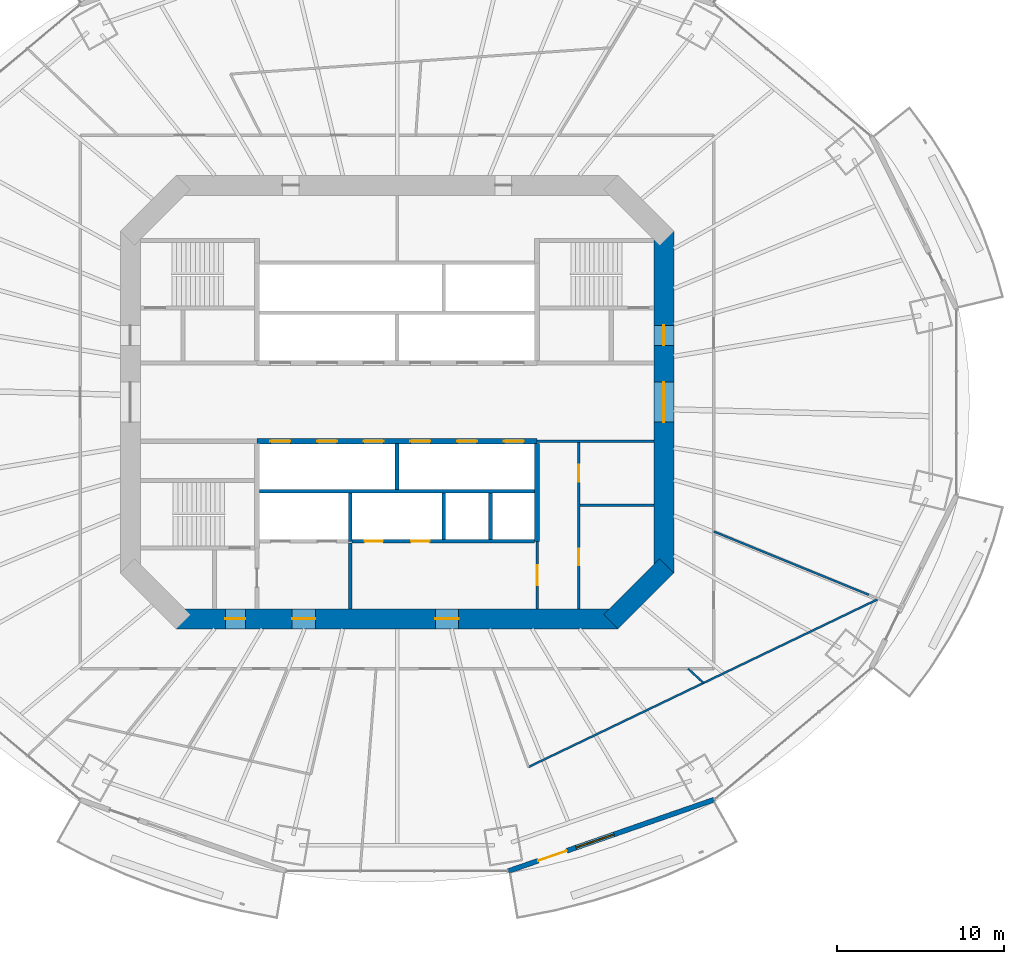
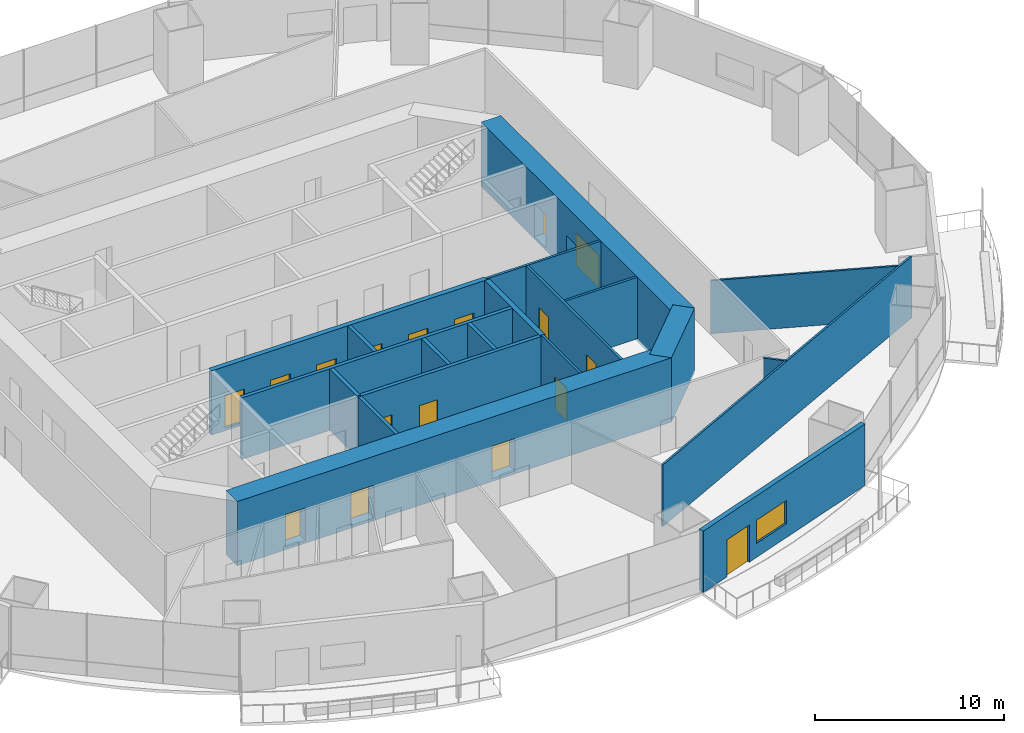
# One storey, part 14 of 22: 20 walls, 17 doors, 1 window, 18 openings.
"""IFC4 building model written with IfcOpenShell, lengths in metres."""

from ifc_helpers import new_model, si_unit, direction, frame, frame_2d, origin, place, context, subcontext, project, spatial, rectangle, extrude, material, layer, layer_set, type_object, element, fill, save


model = new_model("IFC4")

# Units and contexts
model_context = context("Model", 3, precision=1e-05, world=origin(), true_north=direction((0.0, 1.0)))
body_context = subcontext(model_context, "Body", "Model", "MODEL_VIEW")
ifc_project = project(units=[si_unit("LENGTHUNIT", "METRE"), si_unit("AREAUNIT", "SQUARE_METRE"), si_unit("VOLUMEUNIT", "CUBIC_METRE"), si_unit("PLANEANGLEUNIT", "RADIAN"), si_unit("MASSUNIT", "GRAM", prefix="KILO")], contexts=[model_context])

# Site, building, storey
site_placement = place(None, origin())
site = spatial("IfcSite", under=ifc_project, at=site_placement, CompositionType="ELEMENT")
building_placement = place(site_placement, origin())
building = spatial("IfcBuilding", under=site, at=building_placement, Name="Marenthal Gate Tower", CompositionType="ELEMENT")
storey_placement = place(building_placement, frame((0.0, 0.0, 116.0)))
storey = spatial("IfcBuildingStorey", under=building, at=storey_placement, Name="L24", CompositionType="ELEMENT", Elevation=116.0)

# Wall
ifc_material_1 = material(Name="Concrete 60 MPa", Category="concrete")
ifc_layer_1 = layer(ifc_material_1, 1.199951171875)
ifc_layer_set_1 = layer_set([ifc_layer_1], Name="Core shear wall 1200")
wall_type_1 = type_object("IfcWallType", Name="Core shear wall 1200", PredefinedType="SHEAR", material=ifc_layer_set_1)
wall_1_placement = place(storey_placement, frame((12.82421875, -13.17578125, -0.179931640625), z_axis=(0.0, 0.0, 1.0), x_axis=(0.707106781187, 0.707106781187, 0.0)))
element("IfcWall", 1, at=wall_1_placement, inside=storey, type_object=wall_type_1, Name="Core wall 01", PredefinedType="SHEAR", context=body_context, shape_type="SweptSolid", body=[
    extrude(rectangle(XDim=4.73974609375, YDim=1.199951171875, at=frame_2d((2.369873046875, 0.0))), origin(), (0.0, 0.0, 1.0), 4.14990234375),
])

# Wall, openings, doors
wall_2_placement = place(storey_placement, frame((16.0, -10.24853515625, -0.179931640625), z_axis=(0.0, 0.0, 1.0), x_axis=(0.0, 1.0, 0.0)))
wall_2 = element("IfcWall", 2, at=wall_2_placement, inside=storey, type_object=wall_type_1, Name="Core wall 02", PredefinedType="SHEAR", context=body_context, shape_type="SweptSolid", body=[
    extrude(rectangle(XDim=20.4970703125, YDim=1.199951171875, at=frame_2d((10.24853515625, 0.0))), origin(), (0.0, 0.0, 1.0), 4.14990234375),
])
opening_1_placement = place(wall_2_placement, frame((9.048583984375, 0.0, 0.179931640625)))
opening_1 = element("IfcOpeningElement", 3, at=opening_1_placement, cuts=wall_2, Name="Opening D003.02", PredefinedType="OPENING", context=body_context, shape_type="SweptSolid", body=[
    extrude(rectangle(XDim=2.39990234375, YDim=2.10009765625, at=frame_2d((1.199951171875, 1.050048828125))), frame((0.0, 0.60986328125, 0.0), z_axis=(0.0, -1.0, 0.0), x_axis=(1.0, 0.0, 0.0)), (0.0, 0.0, 1.0), 1.219970703125),
])
opening_2_placement = place(wall_2_placement, frame((13.6484375, 0.0, 0.179931640625)))
opening_2 = element("IfcOpeningElement", 4, at=opening_2_placement, cuts=wall_2, Name="Opening D001.05", PredefinedType="OPENING", context=body_context, shape_type="SweptSolid", body=[
    extrude(rectangle(XDim=1.199951171875, YDim=2.10009765625, at=frame_2d((0.60009765625, 1.050048828125))), frame((0.0, 0.60986328125, 0.0), z_axis=(0.0, -1.0, 0.0), x_axis=(1.0, 0.0, 0.0)), (0.0, 0.0, 1.0), 1.219970703125),
])
ifc_material_2 = material(Name="Steel fire door", Category="steel")
door_type_1 = type_object("IfcDoorType", Name="Double fire door FD 45 2400 x 2100", OperationType="DOUBLE_DOOR_SINGLE_SWING", PredefinedType="DOOR", material=ifc_material_2)
door_1_placement = place(opening_1_placement, origin())
door_1 = element("IfcDoor", 5, at=door_1_placement, inside=storey, type_object=door_type_1, Name="Door D003.02", OperationType="DOUBLE_DOOR_SINGLE_SWING", OverallHeight=2.10009765625, OverallWidth=2.39990234375, PredefinedType="DOOR", context=body_context, shape_type="SweptSolid", body=[
    extrude(rectangle(XDim=2.39990234375, YDim=2.10009765625, at=frame_2d((1.199951171875, 1.050048828125))), frame((0.0, 0.02490234375, 0.0), z_axis=(0.0, -1.0, 0.0), x_axis=(1.0, 0.0, 0.0)), (0.0, 0.0, 1.0), 0.050048828125),
])
fill(opening_1, door_1)
ifc_material_3 = material(Name="Steel fire door", Category="steel")
door_type_2 = type_object("IfcDoorType", Name="Fire door FD 90 1200 x 2100", OperationType="NOTDEFINED", PredefinedType="DOOR", material=ifc_material_3)
door_2_placement = place(opening_2_placement, origin())
door_2 = element("IfcDoor", 6, at=door_2_placement, inside=storey, type_object=door_type_2, Name="Door D001.05", OperationType="SINGLE_SWING_RIGHT", OverallHeight=2.10009765625, OverallWidth=1.199951171875, PredefinedType="DOOR", context=body_context, shape_type="SweptSolid", body=[
    extrude(rectangle(XDim=1.199951171875, YDim=2.10009765625, at=frame_2d((0.60009765625, 1.050048828125))), frame((0.0, 0.02490234375, 0.0), z_axis=(0.0, -1.0, 0.0), x_axis=(1.0, 0.0, 0.0)), (0.0, 0.0, 1.0), 0.050048828125),
])
fill(opening_2, door_2)

wall_3_placement = place(storey_placement, frame((-13.24853515625, -13.0, -0.179931640625), z_axis=(0.0, 0.0, 1.0), x_axis=(1.0, 0.0, 0.0)))
wall_3 = element("IfcWall", 7, at=wall_3_placement, inside=storey, type_object=wall_type_1, Name="Core wall 08", PredefinedType="SHEAR", context=body_context, shape_type="SweptSolid", body=[
    extrude(rectangle(XDim=26.4970703125, YDim=1.199951171875, at=frame_2d((13.24853515625, 0.0))), origin(), (0.0, 0.0, 1.0), 4.14990234375),
])
opening_3_placement = place(wall_3_placement, frame((2.948486328125, 0.0, 0.179931640625)))
opening_3 = element("IfcOpeningElement", 8, at=opening_3_placement, cuts=wall_3, Name="Opening D001.06", PredefinedType="OPENING", context=body_context, shape_type="SweptSolid", body=[
    extrude(rectangle(XDim=1.199951171875, YDim=2.10009765625, at=frame_2d((0.60009765625, 1.050048828125))), frame((0.0, 0.60986328125, 0.0), z_axis=(0.0, -1.0, 0.0), x_axis=(1.0, 0.0, 0.0)), (0.0, 0.0, 1.0), 1.219970703125),
])
opening_4_placement = place(wall_3_placement, frame((6.948486328125, 0.0, 0.179931640625)))
opening_4 = element("IfcOpeningElement", 9, at=opening_4_placement, cuts=wall_3, Name="Opening D004.01", PredefinedType="OPENING", context=body_context, shape_type="SweptSolid", body=[
    extrude(rectangle(XDim=1.39990234375, YDim=2.10009765625, at=frame_2d((0.699951171875, 1.050048828125))), frame((0.0, 0.60986328125, 0.0), z_axis=(0.0, -1.0, 0.0), x_axis=(1.0, 0.0, 0.0)), (0.0, 0.0, 1.0), 1.219970703125),
])
opening_5_placement = place(wall_3_placement, frame((15.548583984375, 0.0, 0.179931640625)))
opening_5 = element("IfcOpeningElement", 10, at=opening_5_placement, cuts=wall_3, Name="Opening D004.02", PredefinedType="OPENING", context=body_context, shape_type="SweptSolid", body=[
    extrude(rectangle(XDim=1.39990234375, YDim=2.10009765625, at=frame_2d((0.699951171875, 1.050048828125))), frame((0.0, 0.60986328125, 0.0), z_axis=(0.0, -1.0, 0.0), x_axis=(1.0, 0.0, 0.0)), (0.0, 0.0, 1.0), 1.219970703125),
])
ifc_material_4 = material(Name="Steel fire door", Category="steel")
door_type_3 = type_object("IfcDoorType", Name="Fire door FD 45 1400 x 2100", OperationType="NOTDEFINED", PredefinedType="DOOR", material=ifc_material_4)
door_3_placement = place(opening_4_placement, origin())
door_3 = element("IfcDoor", 11, at=door_3_placement, inside=storey, type_object=door_type_3, Name="Door D004.01", OperationType="SINGLE_SWING_RIGHT", OverallHeight=2.10009765625, OverallWidth=1.39990234375, PredefinedType="DOOR", context=body_context, shape_type="SweptSolid", body=[
    extrude(rectangle(XDim=1.39990234375, YDim=2.10009765625, at=frame_2d((0.699951171875, 1.050048828125))), frame((0.0, 0.02490234375, 0.0), z_axis=(0.0, -1.0, 0.0), x_axis=(1.0, 0.0, 0.0)), (0.0, 0.0, 1.0), 0.050048828125),
])
fill(opening_4, door_3)
door_4_placement = place(opening_5_placement, origin())
door_4 = element("IfcDoor", 12, at=door_4_placement, inside=storey, type_object=door_type_3, Name="Door D004.02", OperationType="SINGLE_SWING_RIGHT", OverallHeight=2.10009765625, OverallWidth=1.39990234375, PredefinedType="DOOR", context=body_context, shape_type="SweptSolid", body=[
    extrude(rectangle(XDim=1.39990234375, YDim=2.10009765625, at=frame_2d((0.699951171875, 1.050048828125))), frame((0.0, 0.02490234375, 0.0), z_axis=(0.0, -1.0, 0.0), x_axis=(1.0, 0.0, 0.0)), (0.0, 0.0, 1.0), 0.050048828125),
])
fill(opening_5, door_4)
door_5_placement = place(opening_3_placement, origin())
door_5 = element("IfcDoor", 13, at=door_5_placement, inside=storey, type_object=door_type_2, Name="Door D001.06", OperationType="SINGLE_SWING_RIGHT", OverallHeight=2.10009765625, OverallWidth=1.199951171875, PredefinedType="DOOR", context=body_context, shape_type="SweptSolid", body=[
    extrude(rectangle(XDim=1.199951171875, YDim=2.10009765625, at=frame_2d((0.60009765625, 1.050048828125))), frame((0.0, 0.02490234375, 0.0), z_axis=(0.0, -1.0, 0.0), x_axis=(1.0, 0.0, 0.0)), (0.0, 0.0, 1.0), 0.050048828125),
])
fill(opening_3, door_5)

# Wall
ifc_material_5 = material(Name="Gypsum board on steel studs", Category="steel")
ifc_layer_2 = layer(ifc_material_5, 0.199951171875)
ifc_layer_set_2 = layer_set([ifc_layer_2], Name="Fire lobby wall 200")
wall_type_2 = type_object("IfcWallType", Name="Fire lobby wall 200", PredefinedType="PARTITIONING", material=ifc_layer_set_2)
wall_4_placement = place(storey_placement, frame((-2.800048828125, -12.39990234375, 0.0), z_axis=(0.0, 0.0, 1.0), x_axis=(0.0, 1.0, 0.0)))
element("IfcWall", 14, at=wall_4_placement, inside=storey, type_object=wall_type_2, Name="Fire wall 33", PredefinedType="PARTITIONING", context=body_context, shape_type="SweptSolid", body=[
    extrude(rectangle(XDim=3.93994140625, YDim=0.199951171875, at=frame_2d((1.969970703125, 0.0))), origin(), (0.0, 0.0, 1.0), 3.969970703125),
])

# Wall, openings, doors
ifc_material_6 = material(Name="Concrete 50 MPa", Category="concrete")
ifc_layer_3 = layer(ifc_material_6, 0.300048828125)
ifc_layer_set_3 = layer_set([ifc_layer_3], Name="Hoistway shear wall 300")
wall_type_3 = type_object("IfcWallType", Name="Hoistway shear wall 300", PredefinedType="SHEAR", material=ifc_layer_set_3)
wall_5_placement = place(storey_placement, frame((-8.39990234375, -2.35009765625, -0.179931640625), z_axis=(0.0, 0.0, 1.0), x_axis=(1.0, 0.0, 0.0)))
wall_5 = element("IfcWall", 15, at=wall_5_placement, inside=storey, type_object=wall_type_3, Name="Hoistway wall 16", PredefinedType="SHEAR", context=body_context, shape_type="SweptSolid", body=[
    extrude(rectangle(XDim=16.7998046875, YDim=0.300048828125, at=frame_2d((8.39990234375, 0.0))), origin(), (0.0, 0.0, 1.0), 4.14990234375),
])
opening_6_placement = place(wall_5_placement, frame((0.800048828125, 0.0, 0.179931640625)))
opening_6 = element("IfcOpeningElement", 16, at=opening_6_placement, cuts=wall_5, Name="Opening LD-LP7", PredefinedType="OPENING", context=body_context, shape_type="SweptSolid", body=[
    extrude(rectangle(XDim=1.199951171875, YDim=2.10009765625, at=frame_2d((0.60009765625, 1.050048828125))), frame((0.0, 0.16015625, 0.0), z_axis=(0.0, -1.0, 0.0), x_axis=(1.0, 0.0, 0.0)), (0.0, 0.0, 1.0), 0.320068359375),
])
opening_7_placement = place(wall_5_placement, frame((3.60009765625, 0.0, 0.179931640625)))
opening_7 = element("IfcOpeningElement", 17, at=opening_7_placement, cuts=wall_5, Name="Opening LD-LP8", PredefinedType="OPENING", context=body_context, shape_type="SweptSolid", body=[
    extrude(rectangle(XDim=1.199951171875, YDim=2.10009765625, at=frame_2d((0.60009765625, 1.050048828125))), frame((0.0, 0.16015625, 0.0), z_axis=(0.0, -1.0, 0.0), x_axis=(1.0, 0.0, 0.0)), (0.0, 0.0, 1.0), 0.320068359375),
])
opening_8_placement = place(wall_5_placement, frame((6.39990234375, 0.0, 0.179931640625)))
opening_8 = element("IfcOpeningElement", 18, at=opening_8_placement, cuts=wall_5, Name="Opening LD-LP9", PredefinedType="OPENING", context=body_context, shape_type="SweptSolid", body=[
    extrude(rectangle(XDim=1.199951171875, YDim=2.10009765625, at=frame_2d((0.60009765625, 1.050048828125))), frame((0.0, 0.16015625, 0.0), z_axis=(0.0, -1.0, 0.0), x_axis=(1.0, 0.0, 0.0)), (0.0, 0.0, 1.0), 0.320068359375),
])
opening_9_placement = place(wall_5_placement, frame((9.199951171875, 0.0, 0.179931640625)))
opening_9 = element("IfcOpeningElement", 19, at=opening_9_placement, cuts=wall_5, Name="Opening LD-LP10", PredefinedType="OPENING", context=body_context, shape_type="SweptSolid", body=[
    extrude(rectangle(XDim=1.199951171875, YDim=2.10009765625, at=frame_2d((0.60009765625, 1.050048828125))), frame((0.0, 0.16015625, 0.0), z_axis=(0.0, -1.0, 0.0), x_axis=(1.0, 0.0, 0.0)), (0.0, 0.0, 1.0), 0.320068359375),
])
opening_10_placement = place(wall_5_placement, frame((12.0, 0.0, 0.179931640625)))
opening_10 = element("IfcOpeningElement", 20, at=opening_10_placement, cuts=wall_5, Name="Opening LD-LP11", PredefinedType="OPENING", context=body_context, shape_type="SweptSolid", body=[
    extrude(rectangle(XDim=1.199951171875, YDim=2.10009765625, at=frame_2d((0.60009765625, 1.050048828125))), frame((0.0, 0.16015625, 0.0), z_axis=(0.0, -1.0, 0.0), x_axis=(1.0, 0.0, 0.0)), (0.0, 0.0, 1.0), 0.320068359375),
])
opening_11_placement = place(wall_5_placement, frame((14.800048828125, 0.0, 0.179931640625)))
opening_11 = element("IfcOpeningElement", 21, at=opening_11_placement, cuts=wall_5, Name="Opening LD-LP12", PredefinedType="OPENING", context=body_context, shape_type="SweptSolid", body=[
    extrude(rectangle(XDim=1.199951171875, YDim=2.10009765625, at=frame_2d((0.60009765625, 1.050048828125))), frame((0.0, 0.16015625, 0.0), z_axis=(0.0, -1.0, 0.0), x_axis=(1.0, 0.0, 0.0)), (0.0, 0.0, 1.0), 0.320068359375),
])
ifc_material_7 = material(Name="Stainless steel sliding door", Category="steel")
door_type_4 = type_object("IfcDoorType", Name="Lift landing door FD 90 1200 x 2100", OperationType="DOUBLE_DOOR_SLIDING", PredefinedType="DOOR", material=ifc_material_7)
door_6_placement = place(opening_6_placement, origin())
door_6 = element("IfcDoor", 22, at=door_6_placement, inside=storey, type_object=door_type_4, Name="Lift landing door LP7", OperationType="DOUBLE_DOOR_SLIDING", OverallHeight=2.10009765625, OverallWidth=1.199951171875, PredefinedType="DOOR", context=body_context, shape_type="SweptSolid", body=[
    extrude(rectangle(XDim=1.199951171875, YDim=2.10009765625, at=frame_2d((0.60009765625, 1.050048828125))), frame((0.0, 0.02490234375, 0.0), z_axis=(0.0, -1.0, 0.0), x_axis=(1.0, 0.0, 0.0)), (0.0, 0.0, 1.0), 0.050048828125),
])
fill(opening_6, door_6)
door_7_placement = place(opening_7_placement, origin())
door_7 = element("IfcDoor", 23, at=door_7_placement, inside=storey, type_object=door_type_4, Name="Lift landing door LP8", OperationType="DOUBLE_DOOR_SLIDING", OverallHeight=2.10009765625, OverallWidth=1.199951171875, PredefinedType="DOOR", context=body_context, shape_type="SweptSolid", body=[
    extrude(rectangle(XDim=1.199951171875, YDim=2.10009765625, at=frame_2d((0.60009765625, 1.050048828125))), frame((0.0, 0.02490234375, 0.0), z_axis=(0.0, -1.0, 0.0), x_axis=(1.0, 0.0, 0.0)), (0.0, 0.0, 1.0), 0.050048828125),
])
fill(opening_7, door_7)
door_8_placement = place(opening_8_placement, origin())
door_8 = element("IfcDoor", 24, at=door_8_placement, inside=storey, type_object=door_type_4, Name="Lift landing door LP9", OperationType="DOUBLE_DOOR_SLIDING", OverallHeight=2.10009765625, OverallWidth=1.199951171875, PredefinedType="DOOR", context=body_context, shape_type="SweptSolid", body=[
    extrude(rectangle(XDim=1.199951171875, YDim=2.10009765625, at=frame_2d((0.60009765625, 1.050048828125))), frame((0.0, 0.02490234375, 0.0), z_axis=(0.0, -1.0, 0.0), x_axis=(1.0, 0.0, 0.0)), (0.0, 0.0, 1.0), 0.050048828125),
])
fill(opening_8, door_8)
door_9_placement = place(opening_9_placement, origin())
door_9 = element("IfcDoor", 25, at=door_9_placement, inside=storey, type_object=door_type_4, Name="Lift landing door LP10", OperationType="DOUBLE_DOOR_SLIDING", OverallHeight=2.10009765625, OverallWidth=1.199951171875, PredefinedType="DOOR", context=body_context, shape_type="SweptSolid", body=[
    extrude(rectangle(XDim=1.199951171875, YDim=2.10009765625, at=frame_2d((0.60009765625, 1.050048828125))), frame((0.0, 0.02490234375, 0.0), z_axis=(0.0, -1.0, 0.0), x_axis=(1.0, 0.0, 0.0)), (0.0, 0.0, 1.0), 0.050048828125),
])
fill(opening_9, door_9)
door_10_placement = place(opening_10_placement, origin())
door_10 = element("IfcDoor", 26, at=door_10_placement, inside=storey, type_object=door_type_4, Name="Lift landing door LP11", OperationType="DOUBLE_DOOR_SLIDING", OverallHeight=2.10009765625, OverallWidth=1.199951171875, PredefinedType="DOOR", context=body_context, shape_type="SweptSolid", body=[
    extrude(rectangle(XDim=1.199951171875, YDim=2.10009765625, at=frame_2d((0.60009765625, 1.050048828125))), frame((0.0, 0.02490234375, 0.0), z_axis=(0.0, -1.0, 0.0), x_axis=(1.0, 0.0, 0.0)), (0.0, 0.0, 1.0), 0.050048828125),
])
fill(opening_10, door_10)
door_11_placement = place(opening_11_placement, origin())
door_11 = element("IfcDoor", 27, at=door_11_placement, inside=storey, type_object=door_type_4, Name="Lift landing door LP12", OperationType="DOUBLE_DOOR_SLIDING", OverallHeight=2.10009765625, OverallWidth=1.199951171875, PredefinedType="DOOR", context=body_context, shape_type="SweptSolid", body=[
    extrude(rectangle(XDim=1.199951171875, YDim=2.10009765625, at=frame_2d((0.60009765625, 1.050048828125))), frame((0.0, 0.02490234375, 0.0), z_axis=(0.0, -1.0, 0.0), x_axis=(1.0, 0.0, 0.0)), (0.0, 0.0, 1.0), 0.050048828125),
])
fill(opening_11, door_11)

# Wall
wall_6_placement = place(storey_placement, frame((8.39990234375, -8.35009765625, -0.179931640625), z_axis=(0.0, 0.0, 1.0), x_axis=(0.0, 1.0, 0.0)))
element("IfcWall", 28, at=wall_6_placement, inside=storey, type_object=wall_type_3, Name="Hoistway wall 42", PredefinedType="SHEAR", context=body_context, shape_type="SweptSolid", body=[
    extrude(rectangle(XDim=5.85009765625, YDim=0.300048828125, at=frame_2d((2.925048828125, 0.0))), origin(), (0.0, 0.0, 1.0), 4.14990234375),
])

# Wall, openings, doors
ifc_material_8 = material(Name="Concrete 40 MPa", Category="concrete")
ifc_layer_4 = layer(ifc_material_8, 0.219970703125)
ifc_layer_set_4 = layer_set([ifc_layer_4], Name="Hoistway wall 220")
wall_type_4 = type_object("IfcWallType", Name="Hoistway wall 220", PredefinedType="STANDARD", material=ifc_layer_set_4)
wall_7_placement = place(storey_placement, frame((-2.68994140625, -8.35009765625, 0.0), z_axis=(0.0, 0.0, 1.0), x_axis=(1.0, 0.0, 0.0)))
wall_7 = element("IfcWall", 29, at=wall_7_placement, inside=storey, type_object=wall_type_4, Name="Hoistway wall 11", PredefinedType="STANDARD", context=body_context, shape_type="SweptSolid", body=[
    extrude(rectangle(XDim=10.93994140625, YDim=0.219970703125, at=frame_2d((5.469970703125, 0.0))), origin(), (0.0, 0.0, 1.0), 3.969970703125),
])
opening_12_placement = place(wall_7_placement, frame((0.739990234375, 0.0, 0.0)))
opening_12 = element("IfcOpeningElement", 30, at=opening_12_placement, cuts=wall_7, Name="Opening LD-SV1", PredefinedType="OPENING", context=body_context, shape_type="SweptSolid", body=[
    extrude(rectangle(XDim=1.10009765625, YDim=2.10009765625, at=frame_2d((0.550048828125, 1.050048828125))), frame((0.0, 0.1201171875, 0.0), z_axis=(0.0, -1.0, 0.0), x_axis=(1.0, 0.0, 0.0)), (0.0, 0.0, 1.0), 0.239990234375),
])
opening_13_placement = place(wall_7_placement, frame((3.5400390625, 0.0, 0.0)))
opening_13 = element("IfcOpeningElement", 31, at=opening_13_placement, cuts=wall_7, Name="Opening LD-SV2", PredefinedType="OPENING", context=body_context, shape_type="SweptSolid", body=[
    extrude(rectangle(XDim=1.10009765625, YDim=2.10009765625, at=frame_2d((0.550048828125, 1.050048828125))), frame((0.0, 0.1201171875, 0.0), z_axis=(0.0, -1.0, 0.0), x_axis=(1.0, 0.0, 0.0)), (0.0, 0.0, 1.0), 0.239990234375),
])
ifc_material_9 = material(Name="Stainless steel sliding door", Category="steel")
door_type_5 = type_object("IfcDoorType", Name="Lift landing door FD 90 1100 x 2100", OperationType="DOUBLE_DOOR_SLIDING", PredefinedType="DOOR", material=ifc_material_9)
door_12_placement = place(opening_12_placement, origin())
door_12 = element("IfcDoor", 32, at=door_12_placement, inside=storey, type_object=door_type_5, Name="Lift landing door SV1", OperationType="DOUBLE_DOOR_SLIDING", OverallHeight=2.10009765625, OverallWidth=1.10009765625, PredefinedType="DOOR", context=body_context, shape_type="SweptSolid", body=[
    extrude(rectangle(XDim=1.10009765625, YDim=2.10009765625, at=frame_2d((0.550048828125, 1.050048828125))), frame((0.0, 0.02490234375, 0.0), z_axis=(0.0, -1.0, 0.0), x_axis=(1.0, 0.0, 0.0)), (0.0, 0.0, 1.0), 0.050048828125),
])
fill(opening_12, door_12)
door_13_placement = place(opening_13_placement, origin())
door_13 = element("IfcDoor", 33, at=door_13_placement, inside=storey, type_object=door_type_5, Name="Lift landing door SV2", OperationType="DOUBLE_DOOR_SLIDING", OverallHeight=2.10009765625, OverallWidth=1.10009765625, PredefinedType="DOOR", context=body_context, shape_type="SweptSolid", body=[
    extrude(rectangle(XDim=1.10009765625, YDim=2.10009765625, at=frame_2d((0.550048828125, 1.050048828125))), frame((0.0, 0.02490234375, 0.0), z_axis=(0.0, -1.0, 0.0), x_axis=(1.0, 0.0, 0.0)), (0.0, 0.0, 1.0), 0.050048828125),
])
fill(opening_13, door_13)

# Walls
wall_8_placement = place(storey_placement, frame((-8.25, -5.35009765625, 0.0), z_axis=(0.0, 0.0, 1.0), x_axis=(1.0, 0.0, 0.0)))
element("IfcWall", 34, at=wall_8_placement, inside=storey, type_object=wall_type_4, Name="Hoistway wall 13", PredefinedType="STANDARD", context=body_context, shape_type="SweptSolid", body=[
    extrude(rectangle(XDim=16.5, YDim=0.219970703125, at=frame_2d((8.25, 0.0))), origin(), (0.0, 0.0, 1.0), 3.969970703125),
])
wall_9_placement = place(storey_placement, frame((-2.800048828125, -8.35009765625, 0.0), z_axis=(0.0, 0.0, 1.0), x_axis=(0.0, 1.0, 0.0)))
element("IfcWall", 35, at=wall_9_placement, inside=storey, type_object=wall_type_4, Name="Hoistway wall 34", PredefinedType="STANDARD", context=body_context, shape_type="SweptSolid", body=[
    extrude(rectangle(XDim=2.89013671875, YDim=0.219970703125, at=frame_2d((1.445068359375, 0.0))), origin(), (0.0, 0.0, 1.0), 3.969970703125),
])
wall_10_placement = place(storey_placement, frame((0.0, -5.239990234375, 0.0), z_axis=(0.0, 0.0, 1.0), x_axis=(0.0, 1.0, 0.0)))
element("IfcWall", 36, at=wall_10_placement, inside=storey, type_object=wall_type_4, Name="Hoistway wall 35", PredefinedType="STANDARD", context=body_context, shape_type="SweptSolid", body=[
    extrude(rectangle(XDim=2.739990234375, YDim=0.219970703125, at=frame_2d((1.3701171875, 0.0))), origin(), (0.0, 0.0, 1.0), 3.969970703125),
])
for number, where, z_axis, x_axis, name in (
    (37, (2.800048828125, -8.239990234375, 0.0), (0.0, 0.0, 1.0), (0.0, 1.0, 0.0), "Hoistway wall 38"),
    (38, (5.60009765625, -8.239990234375, 0.0), (0.0, 0.0, 1.0), (0.0, 1.0, 0.0), "Hoistway wall 40"),
):
    element("IfcWall", number, at=place(storey_placement, frame(where, z_axis=z_axis, x_axis=x_axis)), inside=storey, type_object=wall_type_4, Name=name, PredefinedType="STANDARD", context=body_context, shape_type="SweptSolid", body=[
        extrude(rectangle(XDim=2.780029296875, YDim=0.219970703125, at=frame_2d((1.39013671875, 0.0))), origin(), (0.0, 0.0, 1.0), 3.969970703125),
    ])
ifc_material_10 = material(Name="Gypsum board on steel studs", Category="steel")
ifc_layer_5 = layer(ifc_material_10, 0.1201171875)
ifc_layer_set_5 = layer_set([ifc_layer_5], Name="Partition 120")
wall_type_5 = type_object("IfcWallType", Name="Partition 120", PredefinedType="PARTITIONING", material=ifc_layer_set_5)
wall_11_placement = place(storey_placement, frame((7.887451171875, -21.892333984375, 0.0), z_axis=(0.0, 0.0, 1.0), x_axis=(0.901432619072, 0.432919430463, 0.0)))
element("IfcWall", 39, at=wall_11_placement, inside=storey, type_object=wall_type_5, Name="Partition wall 59", PredefinedType="PARTITIONING", context=body_context, shape_type="SweptSolid", body=[
    extrude(rectangle(XDim=23.30029296875, YDim=0.1201171875, at=frame_2d((11.650146484375, 0.0))), origin(), (0.0, 0.0, 1.0), 3.969970703125),
])
wall_12_placement = place(storey_placement, frame((18.38916015625, -16.848876953125, 0.0), z_axis=(0.0, 0.0, 1.0), x_axis=(-0.737234794409, 0.675636631565, 0.0)))
element("IfcWall", 40, at=wall_12_placement, inside=storey, type_object=wall_type_5, Name="Partition wall 63", PredefinedType="PARTITIONING", context=body_context, shape_type="SweptSolid", body=[
    extrude(rectangle(XDim=1.25634765625, YDim=0.1201171875, at=frame_2d((0.628173828125, 0.0))), origin(), (0.0, 0.0, 1.0), 3.969970703125),
])
wall_13_placement = place(storey_placement, frame((19.0, -7.763427734375, 0.0), z_axis=(0.0, 0.0, 1.0), x_axis=(0.925698659279, -0.378261803794, 0.0)))
element("IfcWall", 41, at=wall_13_placement, inside=storey, type_object=wall_type_5, Name="Partition wall 65", PredefinedType="PARTITIONING", context=body_context, shape_type="SweptSolid", body=[
    extrude(rectangle(XDim=10.044189453125, YDim=0.1201171875, at=frame_2d((5.02197265625, 0.0))), origin(), (0.0, 0.0, 1.0), 3.426025390625),
])
ifc_material_11 = material(Name="Gypsum board on steel studs", Category="steel")
ifc_layer_6 = layer(ifc_material_11, 0.14990234375)
ifc_layer_set_6 = layer_set([ifc_layer_6], Name="Partition 150")
wall_type_6 = type_object("IfcWallType", Name="Partition 150", PredefinedType="PARTITIONING", material=ifc_layer_set_6)
wall_14_placement = place(storey_placement, frame((10.97509765625, -6.199951171875, 0.0), z_axis=(0.0, 0.0, 1.0), x_axis=(1.0, 0.0, 0.0)))
element("IfcWall", 42, at=wall_14_placement, inside=storey, type_object=wall_type_6, Name="Partition wall 12", PredefinedType="PARTITIONING", context=body_context, shape_type="SweptSolid", body=[
    extrude(rectangle(XDim=4.4248046875, YDim=0.14990234375, at=frame_2d((2.21240234375, 0.0))), origin(), (0.0, 0.0, 1.0), 3.969970703125),
])
wall_15_placement = place(storey_placement, frame((8.39990234375, -2.35009765625, 0.0), z_axis=(0.0, 0.0, 1.0), x_axis=(1.0, 0.0, 0.0)))
element("IfcWall", 43, at=wall_15_placement, inside=storey, type_object=wall_type_6, Name="Partition wall 17", PredefinedType="PARTITIONING", context=body_context, shape_type="SweptSolid", body=[
    extrude(rectangle(XDim=7.0, YDim=0.14990234375, at=frame_2d((3.5, 0.0))), origin(), (0.0, 0.0, 1.0), 3.969970703125),
])

# Wall, opening, door
wall_16_placement = place(storey_placement, frame((8.39990234375, -12.39990234375, 0.0), z_axis=(0.0, 0.0, 1.0), x_axis=(0.0, 1.0, 0.0)))
wall_16 = element("IfcWall", 44, at=wall_16_placement, inside=storey, type_object=wall_type_6, Name="Partition wall 41", PredefinedType="PARTITIONING", context=body_context, shape_type="SweptSolid", body=[
    extrude(rectangle(XDim=4.0498046875, YDim=0.14990234375, at=frame_2d((2.02490234375, 0.0))), origin(), (0.0, 0.0, 1.0), 3.969970703125),
])
opening_14_placement = place(wall_16_placement, frame((1.425048828125, 0.0, 0.0)))
opening_14 = element("IfcOpeningElement", 45, at=opening_14_placement, cuts=wall_16, Name="Opening D006.01", PredefinedType="OPENING", context=body_context, shape_type="SweptSolid", body=[
    extrude(rectangle(XDim=1.199951171875, YDim=2.10009765625, at=frame_2d((0.60009765625, 1.050048828125))), frame((0.0, 0.0849609375, 0.0), z_axis=(0.0, -1.0, 0.0), x_axis=(1.0, 0.0, 0.0)), (0.0, 0.0, 1.0), 0.169921875),
])
ifc_material_12 = material(Name="Steel fire door", Category="steel")
door_type_6 = type_object("IfcDoorType", Name="Fire door FD 45 1200 x 2100", OperationType="NOTDEFINED", PredefinedType="DOOR", material=ifc_material_12)
door_14_placement = place(opening_14_placement, frame((1.199951171875, 0.0, 0.0), z_axis=(0.0, 0.0, 1.0), x_axis=(-1.0, 0.0, 0.0)))
door_14 = element("IfcDoor", 46, at=door_14_placement, inside=storey, type_object=door_type_6, Name="Door D006.01", OperationType="SINGLE_SWING_LEFT", OverallHeight=2.10009765625, OverallWidth=1.199951171875, PredefinedType="DOOR", context=body_context, shape_type="SweptSolid", body=[
    extrude(rectangle(XDim=1.199951171875, YDim=2.10009765625, at=frame_2d((0.60009765625, 1.050048828125))), frame((0.0, 0.02490234375, 0.0), z_axis=(0.0, -1.0, 0.0), x_axis=(1.0, 0.0, 0.0)), (0.0, 0.0, 1.0), 0.050048828125),
])
fill(opening_14, door_14)

# Wall, openings, doors
wall_17_placement = place(storey_placement, frame((10.89990234375, -12.39990234375, 0.0), z_axis=(0.0, 0.0, 1.0), x_axis=(0.0, 1.0, 0.0)))
wall_17 = element("IfcWall", 47, at=wall_17_placement, inside=storey, type_object=wall_type_6, Name="Partition wall 45", PredefinedType="PARTITIONING", context=body_context, shape_type="SweptSolid", body=[
    extrude(rectangle(XDim=9.974853515625, YDim=0.14990234375, at=frame_2d((4.9873046875, 0.0))), origin(), (0.0, 0.0, 1.0), 3.969970703125),
])
opening_15_placement = place(wall_17_placement, frame((7.625, 0.0, 0.0)))
opening_15 = element("IfcOpeningElement", 48, at=opening_15_placement, cuts=wall_17, Name="Opening D005.03", PredefinedType="OPENING", context=body_context, shape_type="SweptSolid", body=[
    extrude(rectangle(XDim=1.0, YDim=2.10009765625, at=frame_2d((0.5, 1.050048828125))), frame((0.0, 0.0849609375, 0.0), z_axis=(0.0, -1.0, 0.0), x_axis=(1.0, 0.0, 0.0)), (0.0, 0.0, 1.0), 0.169921875),
])
opening_16_placement = place(wall_17_placement, frame((2.60009765625, 0.0, 0.0)))
opening_16 = element("IfcOpeningElement", 49, at=opening_16_placement, cuts=wall_17, Name="Opening D005.04", PredefinedType="OPENING", context=body_context, shape_type="SweptSolid", body=[
    extrude(rectangle(XDim=1.0, YDim=2.10009765625, at=frame_2d((0.5, 1.050048828125))), frame((0.0, 0.0849609375, 0.0), z_axis=(0.0, -1.0, 0.0), x_axis=(1.0, 0.0, 0.0)), (0.0, 0.0, 1.0), 0.169921875),
])
ifc_material_13 = material(Name="Steel fire door", Category="steel")
door_type_7 = type_object("IfcDoorType", Name="Fire door FD 45 1000 x 2100", OperationType="NOTDEFINED", PredefinedType="DOOR", material=ifc_material_13)
door_15_placement = place(opening_15_placement, frame((1.0, 0.0, 0.0), z_axis=(0.0, 0.0, 1.0), x_axis=(-1.0, 0.0, 0.0)))
door_15 = element("IfcDoor", 50, at=door_15_placement, inside=storey, type_object=door_type_7, Name="Door D005.03", OperationType="SINGLE_SWING_LEFT", OverallHeight=2.10009765625, OverallWidth=1.0, PredefinedType="DOOR", context=body_context, shape_type="SweptSolid", body=[
    extrude(rectangle(XDim=1.0, YDim=2.10009765625, at=frame_2d((0.5, 1.050048828125))), frame((0.0, 0.02490234375, 0.0), z_axis=(0.0, -1.0, 0.0), x_axis=(1.0, 0.0, 0.0)), (0.0, 0.0, 1.0), 0.050048828125),
])
fill(opening_15, door_15)
door_16_placement = place(opening_16_placement, frame((1.0, 0.0, 0.0), z_axis=(0.0, 0.0, 1.0), x_axis=(-1.0, 0.0, 0.0)))
door_16 = element("IfcDoor", 51, at=door_16_placement, inside=storey, type_object=door_type_7, Name="Door D005.04", OperationType="SINGLE_SWING_LEFT", OverallHeight=2.10009765625, OverallWidth=1.0, PredefinedType="DOOR", context=body_context, shape_type="SweptSolid", body=[
    extrude(rectangle(XDim=1.0, YDim=2.10009765625, at=frame_2d((0.5, 1.050048828125))), frame((0.0, 0.02490234375, 0.0), z_axis=(0.0, -1.0, 0.0), x_axis=(1.0, 0.0, 0.0)), (0.0, 0.0, 1.0), 0.050048828125),
])
fill(opening_16, door_16)

# Wall, openings, door, window
ifc_material_14 = material(Name="Terracotta cladding on insulated concrete-block backing", Category="masonry")
ifc_layer_7 = layer(ifc_material_14, 0.300048828125)
ifc_layer_set_7 = layer_set([ifc_layer_7], Name="Terracotta facade wall 300")
wall_type_7 = type_object("IfcWallType", Name="Terracotta facade wall 300", PredefinedType="SOLIDWALL", material=ifc_layer_set_7)
wall_18_placement = place(storey_placement, frame((6.67724609375, -28.13671875, 0.0), z_axis=(0.0, 0.0, 1.0), x_axis=(0.944684524645, 0.327980409318, 0.0)))
wall_18 = element("IfcWall", 52, at=wall_18_placement, inside=storey, type_object=wall_type_7, Name="Terracotta facade wall L24 bay 13", PredefinedType="SOLIDWALL", context=body_context, shape_type="SweptSolid", body=[
    extrude(rectangle(XDim=13.06005859375, YDim=0.300048828125, at=frame_2d((6.530029296875, 0.0))), origin(), (0.0, 0.0, 1.0), 3.969970703125),
])
opening_17_placement = place(wall_18_placement, frame((1.89990234375, 0.0, 0.0)))
opening_17 = element("IfcOpeningElement", 53, at=opening_17_placement, cuts=wall_18, Name="Opening BD-L24-13", PredefinedType="OPENING", context=body_context, shape_type="SweptSolid", body=[
    extrude(rectangle(XDim=1.800048828125, YDim=2.39990234375, at=frame_2d((0.89990234375, 1.199951171875))), frame((0.0, 0.16015625, 0.0), z_axis=(0.0, -1.0, 0.0), x_axis=(1.0, 0.0, 0.0)), (0.0, 0.0, 1.0), 0.320068359375),
])
opening_18_placement = place(wall_18_placement, frame((4.300048828125, 0.0, 0.89990234375)))
opening_18 = element("IfcOpeningElement", 54, at=opening_18_placement, cuts=wall_18, Name="Opening WN1-L24-13", PredefinedType="OPENING", context=body_context, shape_type="SweptSolid", body=[
    extrude(rectangle(XDim=2.39990234375, YDim=1.5, at=frame_2d((1.199951171875, 0.75))), frame((0.0, 0.16015625, 0.0), z_axis=(0.0, -1.0, 0.0), x_axis=(1.0, 0.0, 0.0)), (0.0, 0.0, 1.0), 0.320068359375),
])
ifc_material_15 = material(Name="Aluminium and glass", Category="aluminium")
door_type_8 = type_object("IfcDoorType", Name="Balcony door 1800x2400", OperationType="DOUBLE_DOOR_SINGLE_SWING", PredefinedType="DOOR", material=ifc_material_15)
door_17_placement = place(opening_17_placement, origin())
door_17 = element("IfcDoor", 55, at=door_17_placement, inside=storey, type_object=door_type_8, Name="Balcony door L24 bay 13", OperationType="SINGLE_SWING_LEFT", OverallHeight=2.39990234375, OverallWidth=1.800048828125, PredefinedType="DOOR", context=body_context, shape_type="SweptSolid", body=[
    extrude(rectangle(XDim=1.800048828125, YDim=2.39990234375, at=frame_2d((0.89990234375, 1.199951171875))), frame((0.0, 0.02490234375, 0.0), z_axis=(0.0, -1.0, 0.0), x_axis=(1.0, 0.0, 0.0)), (0.0, 0.0, 1.0), 0.050048828125),
])
fill(opening_17, door_17)
ifc_material_16 = material(Name="Aluminium and glass", Category="aluminium")
window_type = type_object("IfcWindowType", Name="Window 2400x1500", PartitioningType="TRIPLE_PANEL_VERTICAL", PredefinedType="WINDOW", material=ifc_material_16)
window_placement = place(opening_18_placement, origin())
window = element("IfcWindow", 56, at=window_placement, inside=storey, type_object=window_type, Name="Window L24 bay 13", OverallHeight=1.5, OverallWidth=2.39990234375, PartitioningType="SINGLE_PANEL", PredefinedType="WINDOW", context=body_context, shape_type="SweptSolid", body=[
    extrude(rectangle(XDim=2.39990234375, YDim=1.5, at=frame_2d((1.199951171875, 0.75))), frame((0.0, 0.030029296875, 0.0), z_axis=(0.0, -1.0, 0.0), x_axis=(1.0, 0.0, 0.0)), (0.0, 0.0, 1.0), 0.06005859375),
])
fill(opening_18, window)

save(model, "model.ifc")
